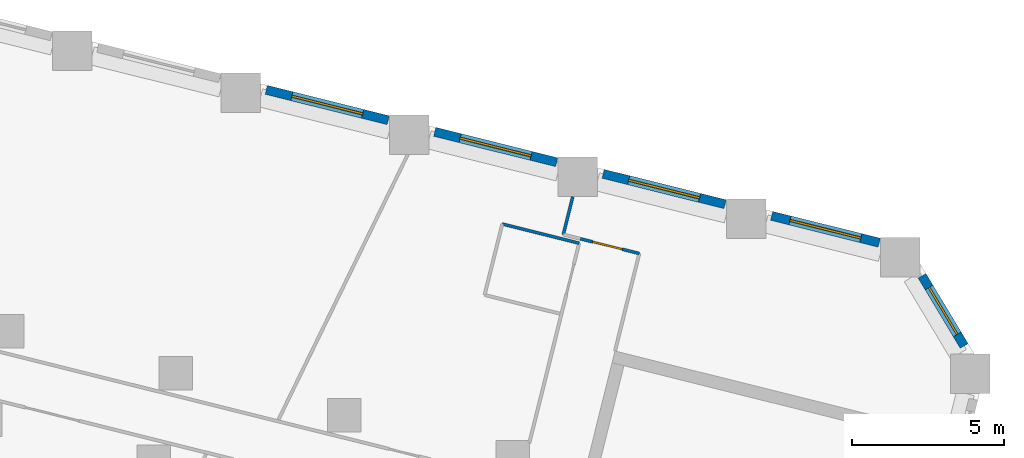
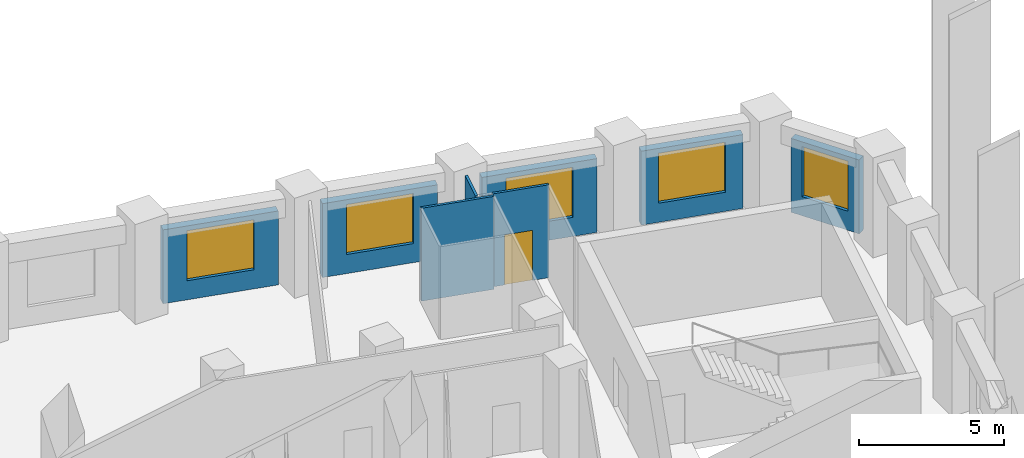
# One storey, part 7 of 11: 8 walls, 5 windows, 1 door, 6 openings.
"""IFC4 building model written with IfcOpenShell, lengths in metres."""

from ifc_helpers import new_model, si_unit, direction, frame, frame_2d, origin, place, context, subcontext, project, spatial, rectangle, extrude, material, layer, layer_set, type_object, element, fill, save


model = new_model("IFC4")

# Units and contexts
model_context = context("Model", 3, precision=1e-05, world=origin(), true_north=direction((0.0, 1.0)))
body_context = subcontext(model_context, "Body", "Model", "MODEL_VIEW")
ifc_project = project(units=[si_unit("LENGTHUNIT", "METRE"), si_unit("AREAUNIT", "SQUARE_METRE"), si_unit("VOLUMEUNIT", "CUBIC_METRE"), si_unit("PLANEANGLEUNIT", "RADIAN"), si_unit("MASSUNIT", "GRAM", prefix="KILO")], contexts=[model_context])

# Site, building, storey
site_placement = place(None, origin())
site = spatial("IfcSite", under=ifc_project, at=site_placement, CompositionType="ELEMENT")
building_placement = place(site_placement, origin())
building = spatial("IfcBuilding", under=site, at=building_placement, Name="Meshkara Civic Tower", CompositionType="ELEMENT")
storey_placement = place(building_placement, frame((0.0, 0.0, 97.199951171875)))
storey = spatial("IfcBuildingStorey", under=building, at=storey_placement, Name="L21", CompositionType="ELEMENT", Elevation=97.199951171875)

# Wall, opening, door
ifc_material_1 = material(Name="Corridor wall 100")
ifc_layer_1 = layer(ifc_material_1, 0.10009765625)
ifc_layer_set_1 = layer_set([ifc_layer_1], Name="Corridor wall 100")
wall_type_1 = type_object("IfcWallType", Name="Corridor wall 100", PredefinedType="PARTITIONING", material=ifc_layer_set_1)
wall_1_placement = place(storey_placement, frame((74.087890625, 2.552001953125, 0.0), z_axis=(0.0, 0.0, 1.0), x_axis=(-0.970271653322, 0.242018426489, 0.0)))
wall_1 = element("IfcWall", 1, at=wall_1_placement, inside=storey, type_object=wall_type_1, Name="L21-W030", PredefinedType="PARTITIONING", context=body_context, shape_type="SweptSolid", body=[
    extrude(rectangle(XDim=1.999267578125, YDim=0.10009765625, at=frame_2d((0.99951171875, 0.0))), origin(), (0.0, 0.0, 1.0), 3.900146484375),
])
opening_1_placement = place(wall_1_placement, frame((0.580078125, 0.0, 0.0)))
opening_1 = element("IfcOpeningElement", 2, at=opening_1_placement, cuts=wall_1, Name="Opening L21-D013", PredefinedType="OPENING", context=body_context, shape_type="SweptSolid", body=[
    extrude(rectangle(XDim=1.0, YDim=2.10009765625, at=frame_2d((0.5, 1.050048828125))), frame((0.0, 0.06005859375, 0.0), z_axis=(0.0, -1.0, 0.0), x_axis=(1.0, 0.0, 0.0)), (0.0, 0.0, 1.0), 0.1201171875),
])
ifc_material_2 = material(Name="Door 1000 x 2100")
door_type = type_object("IfcDoorType", Name="Door 1000 x 2100", OperationType="SINGLE_SWING_LEFT", PredefinedType="DOOR", material=ifc_material_2)
door_placement = place(opening_1_placement, origin())
door = element("IfcDoor", 3, at=door_placement, inside=storey, type_object=door_type, Name="L21-D013", OperationType="SINGLE_SWING_LEFT", OverallHeight=2.10009765625, OverallWidth=1.0, PredefinedType="DOOR", context=body_context, shape_type="SweptSolid", body=[
    extrude(rectangle(XDim=1.0, YDim=2.10009765625, at=frame_2d((0.5, 1.050048828125))), frame((0.0, 0.02490234375, 0.0), z_axis=(0.0, -1.0, 0.0), x_axis=(1.0, 0.0, 0.0)), (0.0, 0.0, 1.0), 0.050048828125),
])
fill(opening_1, door)

# Wall, opening, window
ifc_material_3 = material(Name="Insulated infill panel with bronze anodised aluminium cladding", Category="aluminium")
ifc_layer_2 = layer(ifc_material_3, 0.300048828125)
ifc_layer_set_2 = layer_set([ifc_layer_2], Name="EXTERNAL INFILL WALL 300")
wall_type_2 = type_object("IfcWallType", Name="EXTERNAL INFILL WALL 300", PredefinedType="SOLIDWALL", material=ifc_layer_set_2)
wall_2_placement = place(storey_placement, frame((81.962890625, 2.906982421875, 0.0), z_axis=(0.0, 0.0, 1.0), x_axis=(-0.970248953144, 0.24210941519, 0.0)))
wall_2 = element("IfcWall", 4, at=wall_2_placement, inside=storey, type_object=wall_type_2, Name="External wall", PredefinedType="SOLIDWALL", context=body_context, shape_type="SweptSolid", body=[
    extrude(rectangle(XDim=3.63916015625, YDim=0.300048828125, at=frame_2d((1.819580078125, 0.0))), origin(), (0.0, 0.0, 1.0), 3.10009765625),
])
opening_2_placement = place(wall_2_placement, frame((0.6201171875, 0.0, 0.800048828125)))
opening_2 = element("IfcOpeningElement", 5, at=opening_2_placement, cuts=wall_2, Name="Opening W7", PredefinedType="OPENING", context=body_context, shape_type="SweptSolid", body=[
    extrude(rectangle(XDim=2.39990234375, YDim=2.10009765625, at=frame_2d((1.199951171875, 1.050048828125))), frame((0.0, 0.159912109375, 0.0), z_axis=(0.0, -1.0, 0.0), x_axis=(1.0, 0.0, 0.0)), (0.0, 0.0, 1.0), 0.320068359375),
])
ifc_material_4 = material(Name="Tinted double glazing", Category="glass")
window_type_1 = type_object("IfcWindowType", Name="WINDOW 2400x2100", PartitioningType="DOUBLE_PANEL_VERTICAL", PredefinedType="WINDOW", material=ifc_material_4)
window_1_placement = place(opening_2_placement, origin())
window_1 = element("IfcWindow", 6, at=window_1_placement, inside=storey, type_object=window_type_1, Name="Window", OverallHeight=2.10009765625, OverallWidth=2.39990234375, PartitioningType="DOUBLE_PANEL_VERTICAL", PredefinedType="WINDOW", context=body_context, shape_type="SweptSolid", body=[
    extrude(rectangle(XDim=2.39990234375, YDim=2.10009765625, at=frame_2d((1.199951171875, 1.050048828125))), frame((0.0, 0.030029296875, 0.0), z_axis=(0.0, -1.0, 0.0), x_axis=(1.0, 0.0, 0.0)), (0.0, 0.0, 1.0), 0.06005859375),
])
fill(opening_2, window_1)

wall_3_placement = place(storey_placement, frame((76.903076171875, 4.1689453125, 0.0), z_axis=(0.0, 0.0, 1.0), x_axis=(-0.970267747908, 0.242034083076, 0.0)))
wall_3 = element("IfcWall", 7, at=wall_3_placement, inside=storey, type_object=wall_type_2, Name="External wall", PredefinedType="SOLIDWALL", context=body_context, shape_type="SweptSolid", body=[
    extrude(rectangle(XDim=4.12353515625, YDim=0.300048828125, at=frame_2d((2.061767578125, 0.0))), origin(), (0.0, 0.0, 1.0), 3.10009765625),
])
opening_3_placement = place(wall_3_placement, frame((0.862060546875, 0.0, 0.800048828125)))
opening_3 = element("IfcOpeningElement", 8, at=opening_3_placement, cuts=wall_3, Name="Opening W7", PredefinedType="OPENING", context=body_context, shape_type="SweptSolid", body=[
    extrude(rectangle(XDim=2.39990234375, YDim=2.10009765625, at=frame_2d((1.199951171875, 1.050048828125))), frame((0.0, 0.159912109375, 0.0), z_axis=(0.0, -1.0, 0.0), x_axis=(1.0, 0.0, 0.0)), (0.0, 0.0, 1.0), 0.320068359375),
])
window_2_placement = place(opening_3_placement, origin())
window_2 = element("IfcWindow", 9, at=window_2_placement, inside=storey, type_object=window_type_1, Name="Window", OverallHeight=2.10009765625, OverallWidth=2.39990234375, PartitioningType="DOUBLE_PANEL_VERTICAL", PredefinedType="WINDOW", context=body_context, shape_type="SweptSolid", body=[
    extrude(rectangle(XDim=2.39990234375, YDim=2.10009765625, at=frame_2d((1.199951171875, 1.050048828125))), frame((0.0, 0.030029296875, 0.0), z_axis=(0.0, -1.0, 0.0), x_axis=(1.0, 0.0, 0.0)), (0.0, 0.0, 1.0), 0.06005859375),
])
fill(opening_3, window_2)

wall_4_placement = place(storey_placement, frame((71.373046875, 5.548095703125, 0.0), z_axis=(0.0, 0.0, 1.0), x_axis=(-0.97029551261, 0.241922752565, 0.0)))
wall_4 = element("IfcWall", 10, at=wall_4_placement, inside=storey, type_object=wall_type_2, Name="External wall", PredefinedType="SOLIDWALL", context=body_context, shape_type="SweptSolid", body=[
    extrude(rectangle(XDim=4.12451171875, YDim=0.300048828125, at=frame_2d((2.062255859375, 0.0))), origin(), (0.0, 0.0, 1.0), 3.10009765625),
])
opening_4_placement = place(wall_4_placement, frame((0.862060546875, 0.0, 0.800048828125)))
opening_4 = element("IfcOpeningElement", 11, at=opening_4_placement, cuts=wall_4, Name="Opening W7", PredefinedType="OPENING", context=body_context, shape_type="SweptSolid", body=[
    extrude(rectangle(XDim=2.39990234375, YDim=2.10009765625, at=frame_2d((1.199951171875, 1.050048828125))), frame((0.0, 0.159912109375, 0.0), z_axis=(0.0, -1.0, 0.0), x_axis=(1.0, 0.0, 0.0)), (0.0, 0.0, 1.0), 0.320068359375),
])
window_3_placement = place(opening_4_placement, origin())
window_3 = element("IfcWindow", 12, at=window_3_placement, inside=storey, type_object=window_type_1, Name="Window", OverallHeight=2.10009765625, OverallWidth=2.39990234375, PartitioningType="DOUBLE_PANEL_VERTICAL", PredefinedType="WINDOW", context=body_context, shape_type="SweptSolid", body=[
    extrude(rectangle(XDim=2.39990234375, YDim=2.10009765625, at=frame_2d((1.199951171875, 1.050048828125))), frame((0.0, 0.030029296875, 0.0), z_axis=(0.0, -1.0, 0.0), x_axis=(1.0, 0.0, 0.0)), (0.0, 0.0, 1.0), 0.06005859375),
])
fill(opening_4, window_3)

wall_5_placement = place(storey_placement, frame((65.842041015625, 6.927001953125, 0.0), z_axis=(0.0, 0.0, 1.0), x_axis=(-0.970281616392, 0.241978480223, 0.0)))
wall_5 = element("IfcWall", 13, at=wall_5_placement, inside=storey, type_object=wall_type_2, Name="External wall", PredefinedType="SOLIDWALL", context=body_context, shape_type="SweptSolid", body=[
    extrude(rectangle(XDim=4.12451171875, YDim=0.300048828125, at=frame_2d((2.062255859375, 0.0))), origin(), (0.0, 0.0, 1.0), 3.10009765625),
])
opening_5_placement = place(wall_5_placement, frame((0.862060546875, 0.0, 0.800048828125)))
opening_5 = element("IfcOpeningElement", 14, at=opening_5_placement, cuts=wall_5, Name="Opening W7", PredefinedType="OPENING", context=body_context, shape_type="SweptSolid", body=[
    extrude(rectangle(XDim=2.39990234375, YDim=2.10009765625, at=frame_2d((1.199951171875, 1.050048828125))), frame((0.0, 0.159912109375, 0.0), z_axis=(0.0, -1.0, 0.0), x_axis=(1.0, 0.0, 0.0)), (0.0, 0.0, 1.0), 0.320068359375),
])
window_4_placement = place(opening_5_placement, origin())
window_4 = element("IfcWindow", 15, at=window_4_placement, inside=storey, type_object=window_type_1, Name="Window", OverallHeight=2.10009765625, OverallWidth=2.39990234375, PartitioningType="DOUBLE_PANEL_VERTICAL", PredefinedType="WINDOW", context=body_context, shape_type="SweptSolid", body=[
    extrude(rectangle(XDim=2.39990234375, YDim=2.10009765625, at=frame_2d((1.199951171875, 1.050048828125))), frame((0.0, 0.030029296875, 0.0), z_axis=(0.0, -1.0, 0.0), x_axis=(1.0, 0.0, 0.0)), (0.0, 0.0, 1.0), 0.06005859375),
])
fill(opening_5, window_4)

wall_6_placement = place(storey_placement, frame((84.751953125, -0.48095703125, 0.0), z_axis=(0.0, 0.0, 1.0), x_axis=(-0.515138971391, 0.857106667898, 0.0)))
wall_6 = element("IfcWall", 16, at=wall_6_placement, inside=storey, type_object=wall_type_2, Name="External wall", PredefinedType="SOLIDWALL", context=body_context, shape_type="SweptSolid", body=[
    extrude(rectangle(XDim=2.6787109375, YDim=0.300048828125, at=frame_2d((1.33935546875, 0.0))), origin(), (0.0, 0.0, 1.0), 3.10009765625),
])
opening_6_placement = place(wall_6_placement, frame((0.43896484375, 0.0, 0.800048828125)))
opening_6 = element("IfcOpeningElement", 17, at=opening_6_placement, cuts=wall_6, Name="Opening W9", PredefinedType="OPENING", context=body_context, shape_type="SweptSolid", body=[
    extrude(rectangle(XDim=1.800048828125, YDim=2.10009765625, at=frame_2d((0.89990234375, 1.050048828125))), frame((0.0, 0.159912109375, 0.0), z_axis=(0.0, -1.0, 0.0), x_axis=(1.0, 0.0, 0.0)), (0.0, 0.0, 1.0), 0.320068359375),
])
ifc_material_5 = material(Name="Tinted double glazing", Category="glass")
window_type_2 = type_object("IfcWindowType", Name="WINDOW 1800x2100", PartitioningType="DOUBLE_PANEL_VERTICAL", PredefinedType="WINDOW", material=ifc_material_5)
window_5_placement = place(opening_6_placement, origin())
window_5 = element("IfcWindow", 18, at=window_5_placement, inside=storey, type_object=window_type_2, Name="Window", OverallHeight=2.10009765625, OverallWidth=1.800048828125, PartitioningType="DOUBLE_PANEL_VERTICAL", PredefinedType="WINDOW", context=body_context, shape_type="SweptSolid", body=[
    extrude(rectangle(XDim=1.800048828125, YDim=2.10009765625, at=frame_2d((0.89990234375, 1.050048828125))), frame((0.0, 0.030029296875, 0.0), z_axis=(0.0, -1.0, 0.0), x_axis=(1.0, 0.0, 0.0)), (0.0, 0.0, 1.0), 0.06005859375),
])
fill(opening_6, window_5)

# Walls
ifc_material_6 = material(Name="Partition 100")
ifc_layer_3 = layer(ifc_material_6, 0.10009765625)
ifc_layer_set_3 = layer_set([ifc_layer_3], Name="Partition 100")
wall_type_3 = type_object("IfcWallType", Name="Partition 100", PredefinedType="PARTITIONING", material=ifc_layer_set_3)
wall_7_placement = place(storey_placement, frame((69.589111328125, 3.52001953125, 0.0), z_axis=(0.0, 0.0, 1.0), x_axis=(0.970197700903, -0.242314715118, 0.0)))
element("IfcWall", 19, at=wall_7_placement, inside=storey, type_object=wall_type_3, Name="L21-W054", PredefinedType="PARTITIONING", context=body_context, shape_type="SweptSolid", body=[
    extrude(rectangle(XDim=2.600341796875, YDim=0.10009765625, at=frame_2d((1.30029296875, 0.0))), origin(), (0.0, 0.0, 1.0), 3.900146484375),
])
wall_8_placement = place(storey_placement, frame((71.593017578125, 3.174072265625, 0.0), z_axis=(0.0, 0.0, 1.0), x_axis=(0.242221476086, 0.970220983345, 0.0)))
element("IfcWall", 20, at=wall_8_placement, inside=storey, type_object=wall_type_3, Name="L21-W056", PredefinedType="PARTITIONING", context=body_context, shape_type="SweptSolid", body=[
    extrude(rectangle(XDim=1.280029296875, YDim=0.10009765625, at=frame_2d((0.64013671875, 0.0))), origin(), (0.0, 0.0, 1.0), 3.900146484375),
])

save(model, "model.ifc")
